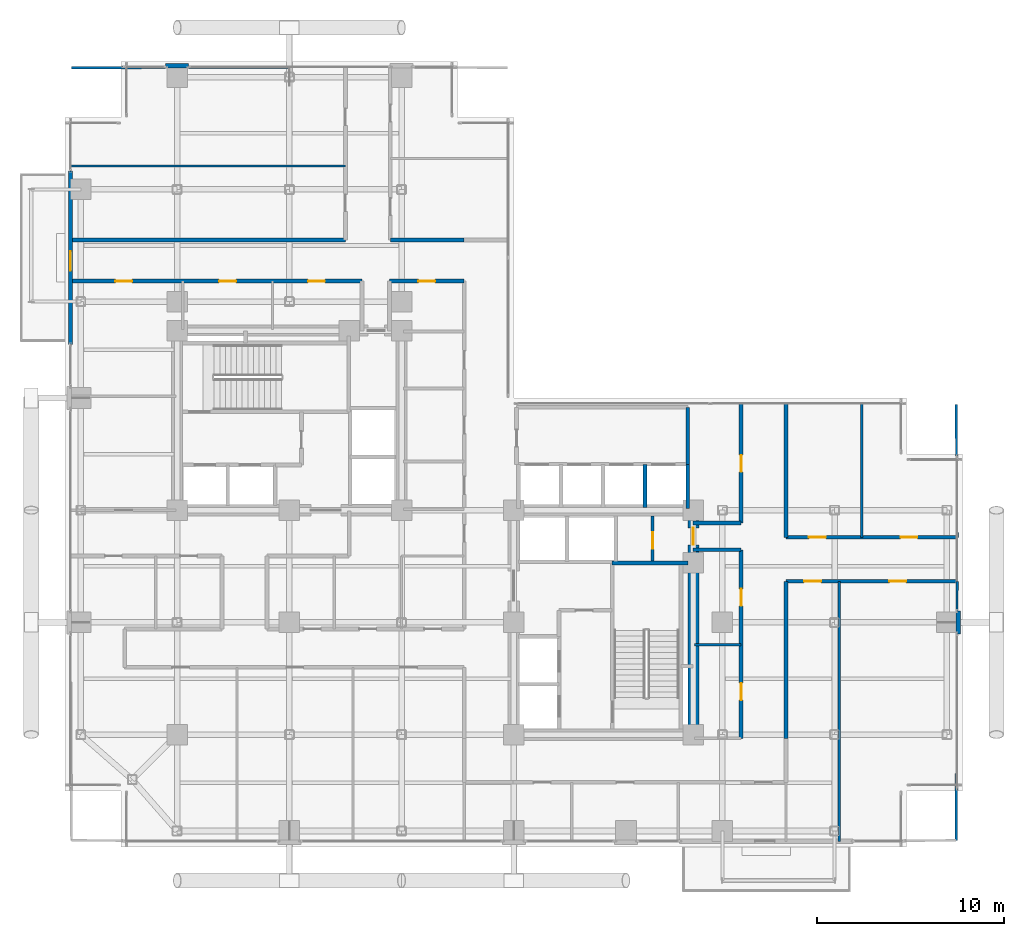
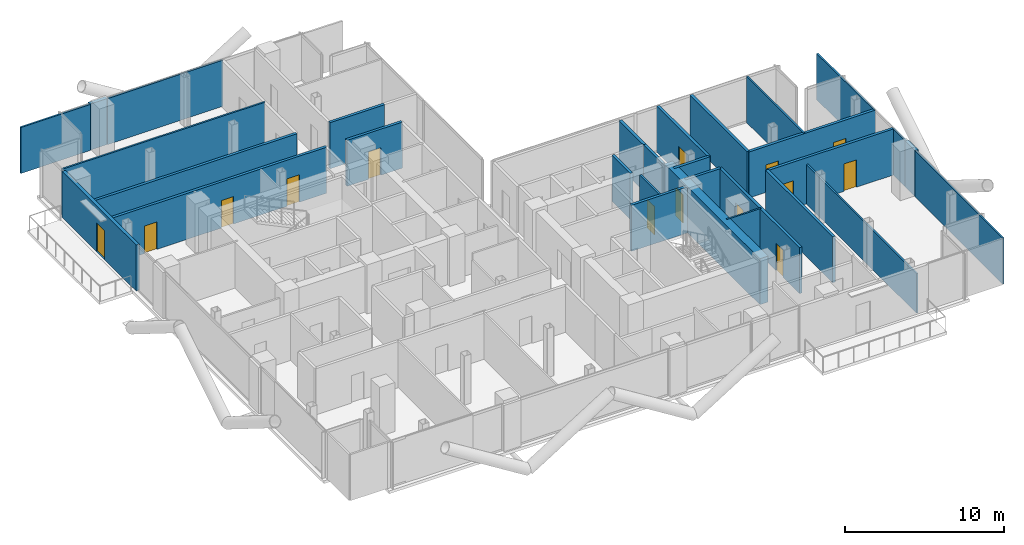
# One storey, part 24 of 28: 30 walls, 14 doors, 14 openings.
"""IFC4 building model written with IfcOpenShell, lengths in metres."""

from ifc_helpers import new_model, si_unit, direction, frame, frame_2d, origin, place, context, subcontext, project, spatial, rectangle, extrude, material, layer, layer_set, type_object, element, fill, save


model = new_model("IFC4")

# Units and contexts
model_context = context("Model", 3, precision=1e-05, world=origin(), true_north=direction((0.0, 1.0)))
body_context = subcontext(model_context, "Body", "Model", "MODEL_VIEW")
ifc_project = project(units=[si_unit("LENGTHUNIT", "METRE"), si_unit("AREAUNIT", "SQUARE_METRE"), si_unit("VOLUMEUNIT", "CUBIC_METRE"), si_unit("PLANEANGLEUNIT", "RADIAN"), si_unit("MASSUNIT", "GRAM", prefix="KILO"), si_unit("THERMODYNAMICTEMPERATUREUNIT", "KELVIN"), si_unit("POWERUNIT", "WATT")], contexts=[model_context])

# Site, building, storey
site_placement = place(None, origin())
site = spatial("IfcSite", under=ifc_project, at=site_placement, CompositionType="ELEMENT")
building_placement = place(site_placement, origin())
building = spatial("IfcBuilding", under=site, at=building_placement, Name="Svarakhadi Broadcast Tower", CompositionType="ELEMENT")
storey_placement = place(building_placement, frame((0.0, 0.0, 153.14990234375)))
storey = spatial("IfcBuildingStorey", under=building, at=storey_placement, Name="L37", CompositionType="ELEMENT", Elevation=153.14990234375)

# Wall, opening, door
ifc_material_1 = material(Name="Concrete C40/50 (IS 456 M50)", Category="concrete")
ifc_layer_1 = layer(ifc_material_1, 0.239990234375)
ifc_layer_set_1 = layer_set([ifc_layer_1], Name="Concrete C40/50 (IS 456 M50)")
wall_type_1 = type_object("IfcWallType", Name="Wall_Ext_240", PredefinedType="SOLIDWALL", material=ifc_layer_set_1)
wall_1_placement = place(storey_placement, frame((0.300048828125, 26.85498046875, 0.0), z_axis=(0.0, 0.0, 1.0), x_axis=(0.0, 1.0, 0.0)))
wall_1 = element("IfcWall", 1, at=wall_1_placement, inside=storey, type_object=wall_type_1, Name="L37 West Tree Balcony Spandrel Wall", PredefinedType="SOLIDWALL", context=body_context, shape_type="SweptSolid", body=[
    extrude(rectangle(XDim=9.2900390625, YDim=0.239990234375, at=frame_2d((4.64501953125, 0.0))), origin(), (0.0, 0.0, 1.0), 3.525146484375),
])
opening_1_placement = place(wall_1_placement, frame((3.945068359375, 0.0, 0.0)))
opening_1 = element("IfcOpeningElement", 2, at=opening_1_placement, cuts=wall_1, Name="Opening ED-06", PredefinedType="OPENING", context=body_context, shape_type="SweptSolid", body=[
    extrude(rectangle(XDim=1.050048828125, YDim=2.199951171875, at=frame_2d((0.52490234375, 1.10009765625))), frame((0.0, 0.1298828125, 0.0), z_axis=(0.0, -1.0, 0.0), x_axis=(1.0, 0.0, 0.0)), (0.0, 0.0, 1.0), 0.260009765625),
])
ifc_material_2 = material(Name="Anodised Bronze Aluminium AA 6063-T6", Category="aluminium")
door_type_1 = type_object("IfcDoorType", Name="Door_Ext_ED06", OperationType="SINGLE_SWING_RIGHT", PredefinedType="DOOR", material=ifc_material_2)
door_1_placement = place(opening_1_placement, origin())
door_1 = element("IfcDoor", 3, at=door_1_placement, inside=storey, type_object=door_type_1, Name="L37 West Tree Balcony Door", OperationType="SINGLE_SWING_RIGHT", OverallHeight=2.199951171875, OverallWidth=1.050048828125, PredefinedType="DOOR", context=body_context, shape_type="SweptSolid", body=[
    extrude(rectangle(XDim=1.050048828125, YDim=2.199951171875, at=frame_2d((0.52490234375, 1.10009765625))), frame((0.0, 0.02490234375, 0.0), z_axis=(0.0, -1.0, 0.0), x_axis=(1.0, 0.0, 0.0)), (0.0, 0.0, 1.0), 0.050048828125),
])
fill(opening_1, door_1)

# Walls
for number, where, z_axis, x_axis, name in (
    (4, (5.385009765625, 41.760009765625, 0.0), (0.0, 0.0, 1.0), (1.0, 0.0, 0.0), "L37 Perimeter Bronze Spandrel Closure Wall 03"),
    (5, (47.760009765625, 12.614990234375, 0.0), (0.0, 0.0, 1.0), (0.0, -1.0, 0.0), "L37 Perimeter Bronze Spandrel Closure Wall 05"),
):
    element("IfcWall", number, at=place(storey_placement, frame(where, z_axis=z_axis, x_axis=x_axis)), inside=storey, type_object=wall_type_1, Name=name, PredefinedType="SOLIDWALL", context=body_context, shape_type="SweptSolid", body=[
        extrude(rectangle(XDim=1.22998046875, YDim=0.239990234375, at=frame_2d((0.614990234375, 0.0))), origin(), (0.0, 0.0, 1.0), 3.525146484375),
    ])

# Wall, openings, doors
ifc_layer_2 = layer(ifc_material_1, 0.199951171875)
ifc_layer_set_2 = layer_set([ifc_layer_2], Name="Concrete C40/50 (IS 456 M50)")
wall_type_2 = type_object("IfcWallType", Name="Wall_Fire_200", PredefinedType="SOLIDWALL", material=ifc_layer_set_2)
wall_2_placement = place(storey_placement, frame((36.14990234375, 5.800048828125, 0.0), z_axis=(0.0, 0.0, 1.0), x_axis=(0.0, 1.0, 0.0)))
wall_2 = element("IfcWall", 6, at=wall_2_placement, inside=storey, type_object=wall_type_2, Name="L37 Zone 2/3 Corridor Wall", PredefinedType="SOLIDWALL", context=body_context, shape_type="SweptSolid", body=[
    extrude(rectangle(XDim=10.079833984375, YDim=0.199951171875, at=frame_2d((5.0400390625, 0.0))), origin(), (0.0, 0.0, 1.0), 3.525146484375),
])
opening_2_placement = place(wall_2_placement, frame((2.050048828125, 0.0, 0.0)))
opening_2 = element("IfcOpeningElement", 7, at=opening_2_placement, cuts=wall_2, Name="Opening D-14", PredefinedType="OPENING", context=body_context, shape_type="SweptSolid", body=[
    extrude(rectangle(XDim=0.89990234375, YDim=2.10009765625, at=frame_2d((0.449951171875, 1.050048828125))), frame((0.0, 0.10986328125, 0.0), z_axis=(0.0, -1.0, 0.0), x_axis=(1.0, 0.0, 0.0)), (0.0, 0.0, 1.0), 0.219970703125),
])
opening_3_placement = place(wall_2_placement, frame((7.090087890625, 0.0, 0.0)))
opening_3 = element("IfcOpeningElement", 8, at=opening_3_placement, cuts=wall_2, Name="Opening D-15", PredefinedType="OPENING", context=body_context, shape_type="SweptSolid", body=[
    extrude(rectangle(XDim=0.89990234375, YDim=2.10009765625, at=frame_2d((0.449951171875, 1.050048828125))), frame((0.0, 0.10986328125, 0.0), z_axis=(0.0, -1.0, 0.0), x_axis=(1.0, 0.0, 0.0)), (0.0, 0.0, 1.0), 0.219970703125),
])
ifc_material_3 = material(Name="Solid-Core Teak Veneer Acoustic Timber Leaf", Category="wood")
door_type_2 = type_object("IfcDoorType", Name="Door_Int_D14", OperationType="SINGLE_SWING_LEFT", PredefinedType="DOOR", material=ifc_material_3)
door_2_placement = place(opening_2_placement, origin())
door_2 = element("IfcDoor", 9, at=door_2_placement, inside=storey, type_object=door_type_2, Name="L37 Media Playout Monitoring Office Door", OperationType="SINGLE_SWING_LEFT", OverallHeight=2.10009765625, OverallWidth=0.89990234375, PredefinedType="DOOR", context=body_context, shape_type="SweptSolid", body=[
    extrude(rectangle(XDim=0.89990234375, YDim=2.10009765625, at=frame_2d((0.449951171875, 1.050048828125))), frame((0.0, 0.02490234375, 0.0), z_axis=(0.0, -1.0, 0.0), x_axis=(1.0, 0.0, 0.0)), (0.0, 0.0, 1.0), 0.050048828125),
])
fill(opening_2, door_2)
door_type_3 = type_object("IfcDoorType", Name="Door_Int_D15", OperationType="SINGLE_SWING_RIGHT", PredefinedType="DOOR", material=ifc_material_3)
door_3_placement = place(opening_3_placement, origin())
door_3 = element("IfcDoor", 10, at=door_3_placement, inside=storey, type_object=door_type_3, Name="L37 Broadcast Ingest Studio Door", OperationType="SINGLE_SWING_RIGHT", OverallHeight=2.10009765625, OverallWidth=0.89990234375, PredefinedType="DOOR", context=body_context, shape_type="SweptSolid", body=[
    extrude(rectangle(XDim=0.89990234375, YDim=2.10009765625, at=frame_2d((0.449951171875, 1.050048828125))), frame((0.0, 0.02490234375, 0.0), z_axis=(0.0, -1.0, 0.0), x_axis=(1.0, 0.0, 0.0)), (0.0, 0.0, 1.0), 0.050048828125),
])
fill(opening_3, door_3)

# Walls
for number, where, z_axis, x_axis, name in (
    (11, (36.14990234375, 15.8798828125, 0.0), (0.0, 0.0, 1.0), (-1.0, 0.0, 0.0), "L37 Zone 2/3 Corridor Wall"),
    (12, (33.580078125, 17.320068359375, 0.0), (0.0, 0.0, 1.0), (1.0, 0.0, 0.0), "L37 Zone 2/3 Corridor Wall"),
):
    element("IfcWall", number, at=place(storey_placement, frame(where, z_axis=z_axis, x_axis=x_axis)), inside=storey, type_object=wall_type_2, Name=name, PredefinedType="SOLIDWALL", context=body_context, shape_type="SweptSolid", body=[
        extrude(rectangle(XDim=2.56982421875, YDim=0.199951171875, at=frame_2d((1.284912109375, 0.0))), origin(), (0.0, 0.0, 1.0), 3.525146484375),
    ])

# Wall, opening, door
wall_3_placement = place(storey_placement, frame((36.14990234375, 17.320068359375, 0.0), z_axis=(0.0, 0.0, 1.0), x_axis=(0.0, 1.0, 0.0)))
wall_3 = element("IfcWall", 13, at=wall_3_placement, inside=storey, type_object=wall_type_2, Name="L37 Zone 2/3 Corridor Wall", PredefinedType="SOLIDWALL", context=body_context, shape_type="SweptSolid", body=[
    extrude(rectangle(XDim=6.3798828125, YDim=0.199951171875, at=frame_2d((3.18994140625, 0.0))), origin(), (0.0, 0.0, 1.0), 3.525146484375),
])
opening_4_placement = place(wall_3_placement, frame((2.72998046875, 0.0, 0.0)))
opening_4 = element("IfcOpeningElement", 14, at=opening_4_placement, cuts=wall_3, Name="Opening D-14", PredefinedType="OPENING", context=body_context, shape_type="SweptSolid", body=[
    extrude(rectangle(XDim=0.89990234375, YDim=2.10009765625, at=frame_2d((0.449951171875, 1.050048828125))), frame((0.0, 0.10986328125, 0.0), z_axis=(0.0, -1.0, 0.0), x_axis=(1.0, 0.0, 0.0)), (0.0, 0.0, 1.0), 0.219970703125),
])
door_4_placement = place(opening_4_placement, origin())
door_4 = element("IfcDoor", 15, at=door_4_placement, inside=storey, type_object=door_type_2, Name="L37 Post-Production Coordination Office Door", OperationType="SINGLE_SWING_LEFT", OverallHeight=2.10009765625, OverallWidth=0.89990234375, PredefinedType="DOOR", context=body_context, shape_type="SweptSolid", body=[
    extrude(rectangle(XDim=0.89990234375, YDim=2.10009765625, at=frame_2d((0.449951171875, 1.050048828125))), frame((0.0, 0.02490234375, 0.0), z_axis=(0.0, -1.0, 0.0), x_axis=(1.0, 0.0, 0.0)), (0.0, 0.0, 1.0), 0.050048828125),
])
fill(opening_4, door_4)

# Wall
wall_4_placement = place(storey_placement, frame((38.550048828125, 23.699951171875, 0.0), z_axis=(0.0, 0.0, 1.0), x_axis=(0.0, -1.0, 0.0)))
element("IfcWall", 16, at=wall_4_placement, inside=storey, type_object=wall_type_2, Name="L37 Zone 2/3 Corridor Wall", PredefinedType="SOLIDWALL", context=body_context, shape_type="SweptSolid", body=[
    extrude(rectangle(XDim=7.14990234375, YDim=0.199951171875, at=frame_2d((3.574951171875, 0.0))), origin(), (0.0, 0.0, 1.0), 3.525146484375),
])

# Wall, openings, doors
wall_5_placement = place(storey_placement, frame((38.550048828125, 16.550048828125, 0.0), z_axis=(0.0, 0.0, 1.0), x_axis=(1.0, 0.0, 0.0)))
wall_5 = element("IfcWall", 17, at=wall_5_placement, inside=storey, type_object=wall_type_2, Name="L37 Zone 2/3 Corridor Wall", PredefinedType="SOLIDWALL", context=body_context, shape_type="SweptSolid", body=[
    extrude(rectangle(XDim=9.14990234375, YDim=0.199951171875, at=frame_2d((4.574951171875, 0.0))), origin(), (0.0, 0.0, 1.0), 3.525146484375),
])
opening_5_placement = place(wall_5_placement, frame((1.22998046875, 0.0, 0.0)))
opening_5 = element("IfcOpeningElement", 18, at=opening_5_placement, cuts=wall_5, Name="Opening D-15", PredefinedType="OPENING", context=body_context, shape_type="SweptSolid", body=[
    extrude(rectangle(XDim=0.89990234375, YDim=2.10009765625, at=frame_2d((0.449951171875, 1.050048828125))), frame((0.0, 0.10986328125, 0.0), z_axis=(0.0, -1.0, 0.0), x_axis=(1.0, 0.0, 0.0)), (0.0, 0.0, 1.0), 0.219970703125),
])
opening_6_placement = place(wall_5_placement, frame((6.125, 0.0, 0.0)))
opening_6 = element("IfcOpeningElement", 19, at=opening_6_placement, cuts=wall_5, Name="Opening D-14", PredefinedType="OPENING", context=body_context, shape_type="SweptSolid", body=[
    extrude(rectangle(XDim=0.89990234375, YDim=2.10009765625, at=frame_2d((0.449951171875, 1.050048828125))), frame((0.0, 0.10986328125, 0.0), z_axis=(0.0, -1.0, 0.0), x_axis=(1.0, 0.0, 0.0)), (0.0, 0.0, 1.0), 0.219970703125),
])
door_5_placement = place(opening_6_placement, origin())
door_5 = element("IfcDoor", 20, at=door_5_placement, inside=storey, type_object=door_type_2, Name="L37 Graphics Workstation Office Door", OperationType="SINGLE_SWING_LEFT", OverallHeight=2.10009765625, OverallWidth=0.89990234375, PredefinedType="DOOR", context=body_context, shape_type="SweptSolid", body=[
    extrude(rectangle(XDim=0.89990234375, YDim=2.10009765625, at=frame_2d((0.449951171875, 1.050048828125))), frame((0.0, 0.02490234375, 0.0), z_axis=(0.0, -1.0, 0.0), x_axis=(1.0, 0.0, 0.0)), (0.0, 0.0, 1.0), 0.050048828125),
])
fill(opening_6, door_5)
door_6_placement = place(opening_5_placement, origin())
door_6 = element("IfcDoor", 21, at=door_6_placement, inside=storey, type_object=door_type_3, Name="L37 Broadcast Graphics Room Door", OperationType="SINGLE_SWING_RIGHT", OverallHeight=2.10009765625, OverallWidth=0.89990234375, PredefinedType="DOOR", context=body_context, shape_type="SweptSolid", body=[
    extrude(rectangle(XDim=0.89990234375, YDim=2.10009765625, at=frame_2d((0.449951171875, 1.050048828125))), frame((0.0, 0.02490234375, 0.0), z_axis=(0.0, -1.0, 0.0), x_axis=(1.0, 0.0, 0.0)), (0.0, 0.0, 1.0), 0.050048828125),
])
fill(opening_5, door_6)

wall_6_placement = place(storey_placement, frame((47.699951171875, 14.199951171875, 0.0), z_axis=(0.0, 0.0, 1.0), x_axis=(-1.0, 0.0, 0.0)))
wall_6 = element("IfcWall", 22, at=wall_6_placement, inside=storey, type_object=wall_type_2, Name="L37 Zone 2/3 Corridor Wall", PredefinedType="SOLIDWALL", context=body_context, shape_type="SweptSolid", body=[
    extrude(rectangle(XDim=9.14990234375, YDim=0.199951171875, at=frame_2d((4.574951171875, 0.0))), origin(), (0.0, 0.0, 1.0), 3.525146484375),
])
opening_7_placement = place(wall_6_placement, frame((7.27490234375, 0.0, 0.0)))
opening_7 = element("IfcOpeningElement", 23, at=opening_7_placement, cuts=wall_6, Name="Opening D-15", PredefinedType="OPENING", context=body_context, shape_type="SweptSolid", body=[
    extrude(rectangle(XDim=0.89990234375, YDim=2.10009765625, at=frame_2d((0.449951171875, 1.050048828125))), frame((0.0, 0.10986328125, 0.0), z_axis=(0.0, -1.0, 0.0), x_axis=(1.0, 0.0, 0.0)), (0.0, 0.0, 1.0), 0.219970703125),
])
opening_8_placement = place(wall_6_placement, frame((2.72509765625, 0.0, 0.0)))
opening_8 = element("IfcOpeningElement", 24, at=opening_8_placement, cuts=wall_6, Name="Opening D-14", PredefinedType="OPENING", context=body_context, shape_type="SweptSolid", body=[
    extrude(rectangle(XDim=0.89990234375, YDim=2.10009765625, at=frame_2d((0.449951171875, 1.050048828125))), frame((0.0, 0.10986328125, 0.0), z_axis=(0.0, -1.0, 0.0), x_axis=(1.0, 0.0, 0.0)), (0.0, 0.0, 1.0), 0.219970703125),
])
door_7_placement = place(opening_8_placement, origin())
door_7 = element("IfcDoor", 25, at=door_7_placement, inside=storey, type_object=door_type_2, Name="L37 Conductor Study Door", OperationType="SINGLE_SWING_LEFT", OverallHeight=2.10009765625, OverallWidth=0.89990234375, PredefinedType="DOOR", context=body_context, shape_type="SweptSolid", body=[
    extrude(rectangle(XDim=0.89990234375, YDim=2.10009765625, at=frame_2d((0.449951171875, 1.050048828125))), frame((0.0, 0.02490234375, 0.0), z_axis=(0.0, -1.0, 0.0), x_axis=(1.0, 0.0, 0.0)), (0.0, 0.0, 1.0), 0.050048828125),
])
fill(opening_8, door_7)
door_8_placement = place(opening_7_placement, origin())
door_8 = element("IfcDoor", 26, at=door_8_placement, inside=storey, type_object=door_type_3, Name="L37 Choral Rehearsal Studio Door", OperationType="SINGLE_SWING_RIGHT", OverallHeight=2.10009765625, OverallWidth=0.89990234375, PredefinedType="DOOR", context=body_context, shape_type="SweptSolid", body=[
    extrude(rectangle(XDim=0.89990234375, YDim=2.10009765625, at=frame_2d((0.449951171875, 1.050048828125))), frame((0.0, 0.02490234375, 0.0), z_axis=(0.0, -1.0, 0.0), x_axis=(1.0, 0.0, 0.0)), (0.0, 0.0, 1.0), 0.050048828125),
])
fill(opening_7, door_8)

# Wall
wall_7_placement = place(storey_placement, frame((38.550048828125, 14.199951171875, 0.0), z_axis=(0.0, 0.0, 1.0), x_axis=(0.0, -1.0, 0.0)))
element("IfcWall", 27, at=wall_7_placement, inside=storey, type_object=wall_type_2, Name="L37 Zone 2/3 Corridor Wall", PredefinedType="SOLIDWALL", context=body_context, shape_type="SweptSolid", body=[
    extrude(rectangle(XDim=8.39990234375, YDim=0.199951171875, at=frame_2d((4.199951171875, 0.0))), origin(), (0.0, 0.0, 1.0), 3.525146484375),
])

# Wall, opening, door
wall_8_placement = place(storey_placement, frame((21.35009765625, 30.25, 0.0), z_axis=(0.0, 0.0, 1.0), x_axis=(-1.0, 0.0, 0.0)))
wall_8 = element("IfcWall", 28, at=wall_8_placement, inside=storey, type_object=wall_type_2, Name="L37 Zone 2/3 Corridor Wall", PredefinedType="SOLIDWALL", context=body_context, shape_type="SweptSolid", body=[
    extrude(rectangle(XDim=4.0, YDim=0.199951171875, at=frame_2d((2.0, 0.0))), origin(), (0.0, 0.0, 1.0), 3.525146484375),
])
opening_9_placement = place(wall_8_placement, frame((1.550048828125, 0.0, 0.0)))
opening_9 = element("IfcOpeningElement", 29, at=opening_9_placement, cuts=wall_8, Name="Opening D-14", PredefinedType="OPENING", context=body_context, shape_type="SweptSolid", body=[
    extrude(rectangle(XDim=0.89990234375, YDim=2.10009765625, at=frame_2d((0.449951171875, 1.050048828125))), frame((0.0, 0.10986328125, 0.0), z_axis=(0.0, -1.0, 0.0), x_axis=(1.0, 0.0, 0.0)), (0.0, 0.0, 1.0), 0.219970703125),
])
door_9_placement = place(opening_9_placement, origin())
door_9 = element("IfcDoor", 30, at=door_9_placement, inside=storey, type_object=door_type_2, Name="L37 Media Continuity Study Door", OperationType="SINGLE_SWING_LEFT", OverallHeight=2.10009765625, OverallWidth=0.89990234375, PredefinedType="DOOR", context=body_context, shape_type="SweptSolid", body=[
    extrude(rectangle(XDim=0.89990234375, YDim=2.10009765625, at=frame_2d((0.449951171875, 1.050048828125))), frame((0.0, 0.02490234375, 0.0), z_axis=(0.0, -1.0, 0.0), x_axis=(1.0, 0.0, 0.0)), (0.0, 0.0, 1.0), 0.050048828125),
])
fill(opening_9, door_9)

# Wall, openings, doors
wall_9_placement = place(storey_placement, frame((15.8798828125, 30.25, 0.0), z_axis=(0.0, 0.0, 1.0), x_axis=(-1.0, 0.0, 0.0)))
wall_9 = element("IfcWall", 31, at=wall_9_placement, inside=storey, type_object=wall_type_2, Name="L37 Zone 2/3 Corridor Wall", PredefinedType="SOLIDWALL", context=body_context, shape_type="SweptSolid", body=[
    extrude(rectangle(XDim=15.579833984375, YDim=0.199951171875, at=frame_2d((7.7900390625, 0.0))), origin(), (0.0, 0.0, 1.0), 3.525146484375),
])
opening_10_placement = place(wall_9_placement, frame((12.280029296875, 0.0, 0.0)))
opening_10 = element("IfcOpeningElement", 32, at=opening_10_placement, cuts=wall_9, Name="Opening D-15", PredefinedType="OPENING", context=body_context, shape_type="SweptSolid", body=[
    extrude(rectangle(XDim=0.89990234375, YDim=2.10009765625, at=frame_2d((0.449951171875, 1.050048828125))), frame((0.0, 0.10986328125, 0.0), z_axis=(0.0, -1.0, 0.0), x_axis=(1.0, 0.0, 0.0)), (0.0, 0.0, 1.0), 0.219970703125),
])
opening_11_placement = place(wall_9_placement, frame((6.72998046875, 0.0, 0.0)))
opening_11 = element("IfcOpeningElement", 33, at=opening_11_placement, cuts=wall_9, Name="Opening D-14", PredefinedType="OPENING", context=body_context, shape_type="SweptSolid", body=[
    extrude(rectangle(XDim=0.89990234375, YDim=2.10009765625, at=frame_2d((0.449951171875, 1.050048828125))), frame((0.0, 0.10986328125, 0.0), z_axis=(0.0, -1.0, 0.0), x_axis=(1.0, 0.0, 0.0)), (0.0, 0.0, 1.0), 0.219970703125),
])
opening_12_placement = place(wall_9_placement, frame((1.97998046875, 0.0, 0.0)))
opening_12 = element("IfcOpeningElement", 34, at=opening_12_placement, cuts=wall_9, Name="Opening D-15", PredefinedType="OPENING", context=body_context, shape_type="SweptSolid", body=[
    extrude(rectangle(XDim=0.89990234375, YDim=2.10009765625, at=frame_2d((0.449951171875, 1.050048828125))), frame((0.0, 0.10986328125, 0.0), z_axis=(0.0, -1.0, 0.0), x_axis=(1.0, 0.0, 0.0)), (0.0, 0.0, 1.0), 0.219970703125),
])
door_10_placement = place(opening_11_placement, origin())
door_10 = element("IfcDoor", 35, at=door_10_placement, inside=storey, type_object=door_type_2, Name="L37 Acoustic Dubbing Booth Door", OperationType="SINGLE_SWING_LEFT", OverallHeight=2.10009765625, OverallWidth=0.89990234375, PredefinedType="DOOR", context=body_context, shape_type="SweptSolid", body=[
    extrude(rectangle(XDim=0.89990234375, YDim=2.10009765625, at=frame_2d((0.449951171875, 1.050048828125))), frame((0.0, 0.02490234375, 0.0), z_axis=(0.0, -1.0, 0.0), x_axis=(1.0, 0.0, 0.0)), (0.0, 0.0, 1.0), 0.050048828125),
])
fill(opening_11, door_10)
door_11_placement = place(opening_10_placement, origin())
door_11 = element("IfcDoor", 36, at=door_11_placement, inside=storey, type_object=door_type_3, Name="L37 Sunset Horizon Screening Room Door", OperationType="SINGLE_SWING_RIGHT", OverallHeight=2.10009765625, OverallWidth=0.89990234375, PredefinedType="DOOR", context=body_context, shape_type="SweptSolid", body=[
    extrude(rectangle(XDim=0.89990234375, YDim=2.10009765625, at=frame_2d((0.449951171875, 1.050048828125))), frame((0.0, 0.02490234375, 0.0), z_axis=(0.0, -1.0, 0.0), x_axis=(1.0, 0.0, 0.0)), (0.0, 0.0, 1.0), 0.050048828125),
])
fill(opening_10, door_11)
door_12_placement = place(opening_12_placement, origin())
door_12 = element("IfcDoor", 37, at=door_12_placement, inside=storey, type_object=door_type_3, Name="L37 Editorial Color Grading Pod Door", OperationType="SINGLE_SWING_RIGHT", OverallHeight=2.10009765625, OverallWidth=0.89990234375, PredefinedType="DOOR", context=body_context, shape_type="SweptSolid", body=[
    extrude(rectangle(XDim=0.89990234375, YDim=2.10009765625, at=frame_2d((0.449951171875, 1.050048828125))), frame((0.0, 0.02490234375, 0.0), z_axis=(0.0, -1.0, 0.0), x_axis=(1.0, 0.0, 0.0)), (0.0, 0.0, 1.0), 0.050048828125),
])
fill(opening_12, door_12)

# Walls
wall_10_placement = place(storey_placement, frame((0.300048828125, 32.449951171875, 0.0), z_axis=(0.0, 0.0, 1.0), x_axis=(1.0, 0.0, 0.0)))
element("IfcWall", 38, at=wall_10_placement, inside=storey, type_object=wall_type_2, Name="L37 Zone 2/3 Corridor Wall", PredefinedType="SOLIDWALL", context=body_context, shape_type="SweptSolid", body=[
    extrude(rectangle(XDim=14.699951171875, YDim=0.199951171875, at=frame_2d((7.35009765625, 0.0))), origin(), (0.0, 0.0, 1.0), 3.525146484375),
])
wall_11_placement = place(storey_placement, frame((17.39990234375, 32.449951171875, 0.0), z_axis=(0.0, 0.0, 1.0), x_axis=(1.0, 0.0, 0.0)))
element("IfcWall", 39, at=wall_11_placement, inside=storey, type_object=wall_type_2, Name="L37 Zone 2/3 Corridor Wall", PredefinedType="SOLIDWALL", context=body_context, shape_type="SweptSolid", body=[
    extrude(rectangle(XDim=3.9501953125, YDim=0.199951171875, at=frame_2d((1.97509765625, 0.0))), origin(), (0.0, 0.0, 1.0), 3.525146484375),
])
ifc_material_4 = material(Name="Fire-Rated Moisture-Resistant Gypsum Board Partition", Category="gypsum")
ifc_layer_3 = layer(ifc_material_4, 0.125)
ifc_layer_set_3 = layer_set([ifc_layer_3], Name="Fire-Rated Moisture-Resistant Gypsum Board Partition")
wall_type_3 = type_object("IfcWallType", Name="Wall_Part_125", PredefinedType="PARTITIONING", material=ifc_layer_set_3)
wall_12_placement = place(storey_placement, frame((33.64990234375, 10.800048828125, 0.0), z_axis=(0.0, 0.0, 1.0), x_axis=(1.0, 0.0, 0.0)))
element("IfcWall", 40, at=wall_12_placement, inside=storey, type_object=wall_type_3, Name="L37 Media Playout Monitoring Office Wall", PredefinedType="PARTITIONING", context=body_context, shape_type="SweptSolid", body=[
    extrude(rectangle(XDim=2.5, YDim=0.125, at=frame_2d((1.25, 0.0))), origin(), (0.0, 0.0, 1.0), 3.525146484375),
])
wall_13_placement = place(storey_placement, frame((41.39990234375, 0.300048828125, 0.0), z_axis=(0.0, 0.0, 1.0), x_axis=(0.0, 1.0, 0.0)))
element("IfcWall", 41, at=wall_13_placement, inside=storey, type_object=wall_type_3, Name="L37 Choral Rehearsal Studio Wall", PredefinedType="PARTITIONING", context=body_context, shape_type="SweptSolid", body=[
    extrude(rectangle(XDim=13.89990234375, YDim=0.125, at=frame_2d((6.949951171875, 0.0))), origin(), (0.0, 0.0, 1.0), 3.01708984375),
])
wall_14_placement = place(storey_placement, frame((47.64990234375, 0.35009765625, 0.0), z_axis=(0.0, 0.0, 1.0), x_axis=(0.003606251025, 0.999993497456, 0.0)))
element("IfcWall", 42, at=wall_14_placement, inside=storey, type_object=wall_type_3, Name="L37 Conductor Study Wall", PredefinedType="PARTITIONING", context=body_context, shape_type="SweptSolid", body=[
    extrude(rectangle(XDim=11.034912109375, YDim=0.125, at=frame_2d((5.517578125, 0.0))), origin(), (0.0, 0.0, 1.0), 3.525146484375),
])
wall_15_placement = place(storey_placement, frame((47.6943359375, 12.614990234375, 0.0), z_axis=(0.0, 0.0, 1.0), x_axis=(0.003542799701, 0.999993724265, 0.0)))
element("IfcWall", 43, at=wall_15_placement, inside=storey, type_object=wall_type_3, Name="L37 Conductor Study Wall", PredefinedType="PARTITIONING", context=body_context, shape_type="SweptSolid", body=[
    extrude(rectangle(XDim=1.5849609375, YDim=0.125, at=frame_2d((0.79248046875, 0.0))), origin(), (0.0, 0.0, 1.0), 3.525146484375),
])
wall_16_placement = place(storey_placement, frame((42.60009765625, 16.550048828125, 0.0), z_axis=(0.0, 0.0, 1.0), x_axis=(0.0, 1.0, 0.0)))
element("IfcWall", 44, at=wall_16_placement, inside=storey, type_object=wall_type_3, Name="L37 Broadcast Graphics Room Wall", PredefinedType="PARTITIONING", context=body_context, shape_type="SweptSolid", body=[
    extrude(rectangle(XDim=7.14990234375, YDim=0.125, at=frame_2d((3.574951171875, 0.0))), origin(), (0.0, 0.0, 1.0), 3.525146484375),
])
wall_17_placement = place(storey_placement, frame((47.699951171875, 16.550048828125, 0.0), z_axis=(0.0, 0.0, 1.0), x_axis=(-0.007049101019, 0.999975154779, 0.0)))
element("IfcWall", 45, at=wall_17_placement, inside=storey, type_object=wall_type_3, Name="L37 Graphics Workstation Office Wall", PredefinedType="PARTITIONING", context=body_context, shape_type="SweptSolid", body=[
    extrude(rectangle(XDim=7.10009765625, YDim=0.125, at=frame_2d((3.550048828125, 0.0))), origin(), (0.0, 0.0, 1.0), 3.525146484375),
])
wall_18_placement = place(storey_placement, frame((0.300048828125, 36.39990234375, 0.0), z_axis=(0.0, 0.0, 1.0), x_axis=(1.0, 0.0, 0.0)))
element("IfcWall", 46, at=wall_18_placement, inside=storey, type_object=wall_type_3, Name="L37 Musicians Dining Pantry Wall", PredefinedType="PARTITIONING", context=body_context, shape_type="SweptSolid", body=[
    extrude(rectangle(XDim=14.699951171875, YDim=0.125, at=frame_2d((7.35009765625, 0.0))), origin(), (0.0, 0.0, 1.0), 3.525146484375),
])
wall_19_placement = place(storey_placement, frame((0.35009765625, 41.64990234375, 0.0), z_axis=(0.0, 0.0, 1.0), x_axis=(0.999994073761, 0.003442737683, 0.0)))
element("IfcWall", 47, at=wall_19_placement, inside=storey, type_object=wall_type_3, Name="L37 Audio Mastering Media Room Wall", PredefinedType="PARTITIONING", context=body_context, shape_type="SweptSolid", body=[
    extrude(rectangle(XDim=5.034912109375, YDim=0.125, at=frame_2d((2.517578125, 0.0))), origin(), (0.0, 0.0, 1.0), 3.525146484375),
])
wall_20_placement = place(storey_placement, frame((6.614990234375, 41.67138671875, 0.0), z_axis=(0.0, 0.0, 1.0), x_axis=(0.999994197557, 0.003406589638, 0.0)))
element("IfcWall", 48, at=wall_20_placement, inside=storey, type_object=wall_type_3, Name="L37 Audio Mastering Media Room Wall", PredefinedType="PARTITIONING", context=body_context, shape_type="SweptSolid", body=[
    extrude(rectangle(XDim=8.385009765625, YDim=0.125, at=frame_2d((4.1923828125, 0.0))), origin(), (0.0, 0.0, 1.0), 3.525146484375),
])

# Wall, opening, door
ifc_material_5 = material(Name="Autoclaved Aerated Concrete Blockwork 150 mm", Category="masonry")
ifc_layer_4 = layer(ifc_material_5, 0.14990234375)
ifc_layer_set_4 = layer_set([ifc_layer_4], Name="Autoclaved Aerated Concrete Blockwork 150 mm")
wall_type_4 = type_object("IfcWallType", Name="Wall_Part_150", PredefinedType="PARTITIONING", material=ifc_layer_set_4)
wall_21_placement = place(storey_placement, frame((31.419921875, 15.280029296875, 0.0), z_axis=(0.0, 0.0, 1.0), x_axis=(0.0, 1.0, 0.0)))
wall_21 = element("IfcWall", 49, at=wall_21_placement, inside=storey, type_object=wall_type_4, Name="L37 Core Service Split Wall", PredefinedType="PARTITIONING", context=body_context, shape_type="SweptSolid", body=[
    extrude(rectangle(XDim=2.419921875, YDim=0.14990234375, at=frame_2d((1.2099609375, 0.0))), origin(), (0.0, 0.0, 1.0), 3.525146484375),
])
opening_13_placement = place(wall_21_placement, frame((0.64990234375, 0.0, 0.0)))
opening_13 = element("IfcOpeningElement", 50, at=opening_13_placement, cuts=wall_21, Name="Opening D-03", PredefinedType="OPENING", context=body_context, shape_type="SweptSolid", body=[
    extrude(rectangle(XDim=0.89990234375, YDim=2.14990234375, at=frame_2d((0.449951171875, 1.074951171875))), frame((0.0, 0.0849609375, 0.0), z_axis=(0.0, -1.0, 0.0), x_axis=(1.0, 0.0, 0.0)), (0.0, 0.0, 1.0), 0.169921875),
])
ifc_material_6 = material(Name="Galvanised Powder-Coated Fire-Rated Steel Leaf", Category="steel")
door_type_4 = type_object("IfcDoorType", Name="Door_Fire_D03", OperationType="SINGLE_SWING_LEFT", PredefinedType="DOOR", material=ifc_material_6)
door_13_placement = place(opening_13_placement, origin())
door_13 = element("IfcDoor", 51, at=door_13_placement, inside=storey, type_object=door_type_4, Name="L37 Core Inner Riser Store Door", OperationType="SINGLE_SWING_LEFT", OverallHeight=2.14990234375, OverallWidth=0.89990234375, PredefinedType="DOOR", context=body_context, shape_type="SweptSolid", body=[
    extrude(rectangle(XDim=0.89990234375, YDim=2.14990234375, at=frame_2d((0.449951171875, 1.074951171875))), frame((0.0, 0.02490234375, 0.0), z_axis=(0.0, -1.0, 0.0), x_axis=(1.0, 0.0, 0.0)), (0.0, 0.0, 1.0), 0.050048828125),
])
fill(opening_13, door_13)

# Walls
ifc_material_7 = material(Name="Concrete C50/60 (IS 456 M60)", Category="concrete")
ifc_layer_5 = layer(ifc_material_7, 0.199951171875)
ifc_layer_set_5 = layer_set([ifc_layer_5], Name="Concrete C50/60 (IS 456 M60)")
wall_type_5 = type_object("IfcWallType", Name="Wall_Shear_200", PredefinedType="SHEAR", material=ifc_layer_set_5)
wall_22_placement = place(storey_placement, frame((29.260009765625, 15.179931640625, 0.0), z_axis=(0.0, 0.0, 1.0), x_axis=(1.0, 0.0, 0.0)))
element("IfcWall", 52, at=wall_22_placement, inside=storey, type_object=wall_type_5, Name="L37 Stair ST-02 North RC Shaft Wall", PredefinedType="SHEAR", context=body_context, shape_type="SweptSolid", body=[
    extrude(rectangle(XDim=4.0400390625, YDim=0.199951171875, at=frame_2d((2.02001953125, 0.0))), origin(), (0.0, 0.0, 1.0), 3.525146484375),
])
wall_23_placement = place(storey_placement, frame((33.300048828125, 18.10009765625, 0.0), z_axis=(0.0, 0.0, 1.0), x_axis=(0.0, 1.0, 0.0)))
element("IfcWall", 53, at=wall_23_placement, inside=storey, type_object=wall_type_5, Name="L37 Bank B East Shaft Wall", PredefinedType="SHEAR", context=body_context, shape_type="SweptSolid", body=[
    extrude(rectangle(XDim=2.349853515625, YDim=0.199951171875, at=frame_2d((1.1748046875, 0.0))), origin(), (0.0, 0.0, 1.0), 3.525146484375),
])
wall_24_placement = place(storey_placement, frame((31.02001953125, 18.14990234375, 0.0), z_axis=(0.0, 0.0, 1.0), x_axis=(0.0, 1.0, 0.0)))
element("IfcWall", 54, at=wall_24_placement, inside=storey, type_object=wall_type_5, Name="L37 Bank B Divider", PredefinedType="SHEAR", context=body_context, shape_type="SweptSolid", body=[
    extrude(rectangle(XDim=2.300048828125, YDim=0.199951171875, at=frame_2d((1.14990234375, 0.0))), origin(), (0.0, 0.0, 1.0), 3.525146484375),
])
wall_25_placement = place(storey_placement, frame((33.300048828125, 20.449951171875, 0.0), z_axis=(0.0, 0.0, 1.0), x_axis=(0.0, 1.0, 0.0)))
element("IfcWall", 55, at=wall_25_placement, inside=storey, type_object=wall_type_5, Name="L37 Bank B Lift Hall East Wall", PredefinedType="SHEAR", context=body_context, shape_type="SweptSolid", body=[
    extrude(rectangle(XDim=3.050048828125, YDim=0.199951171875, at=frame_2d((1.52490234375, 0.0))), origin(), (0.0, 0.0, 1.0), 3.525146484375),
])

# Wall, opening, door
ifc_material_8 = material(Name="Concrete C60/75 (IS 456 M70)", Category="concrete")
ifc_layer_6 = layer(ifc_material_8, 0.60009765625)
ifc_layer_set_6 = layer_set([ifc_layer_6], Name="Concrete C60/75 (IS 456 M70)")
wall_type_6 = type_object("IfcWallType", Name="Wall_Shear_600", PredefinedType="SHEAR", material=ifc_layer_set_6)
wall_26_placement = place(storey_placement, frame((33.60009765625, 6.0, 0.0), z_axis=(0.0, 0.0, 1.0), x_axis=(0.0, 1.0, 0.0)))
wall_26 = element("IfcWall", 56, at=wall_26_placement, inside=storey, type_object=wall_type_6, Name="L37 East Core East Shear Wall", PredefinedType="SHEAR", context=body_context, shape_type="SweptSolid", body=[
    extrude(rectangle(XDim=12.0, YDim=0.60009765625, at=frame_2d((6.0, 0.0))), origin(), (0.0, 0.0, 1.0), 3.525146484375),
])
opening_14_placement = place(wall_26_placement, frame((10.14990234375, 0.0, 0.0)))
opening_14 = element("IfcOpeningElement", 57, at=opening_14_placement, cuts=wall_26, Name="Opening D-04", PredefinedType="OPENING", context=body_context, shape_type="SweptSolid", body=[
    extrude(rectangle(XDim=0.89990234375, YDim=2.14990234375, at=frame_2d((0.449951171875, 1.074951171875))), frame((0.0, 0.31005859375, 0.0), z_axis=(0.0, -1.0, 0.0), x_axis=(1.0, 0.0, 0.0)), (0.0, 0.0, 1.0), 0.6201171875),
])
door_type_5 = type_object("IfcDoorType", Name="Door_Fire_D04", OperationType="SINGLE_SWING_RIGHT", PredefinedType="DOOR", material=ifc_material_6)
door_14_placement = place(opening_14_placement, origin())
door_14 = element("IfcDoor", 58, at=door_14_placement, inside=storey, type_object=door_type_5, Name="L37 Core Outer Service Store Door", OperationType="SINGLE_SWING_RIGHT", OverallHeight=2.14990234375, OverallWidth=0.89990234375, PredefinedType="DOOR", context=body_context, shape_type="SweptSolid", body=[
    extrude(rectangle(XDim=0.89990234375, YDim=2.14990234375, at=frame_2d((0.449951171875, 1.074951171875))), frame((0.0, 0.02490234375, 0.0), z_axis=(0.0, -1.0, 0.0), x_axis=(1.0, 0.0, 0.0)), (0.0, 0.0, 1.0), 0.050048828125),
])
fill(opening_14, door_14)

save(model, "model.ifc")
